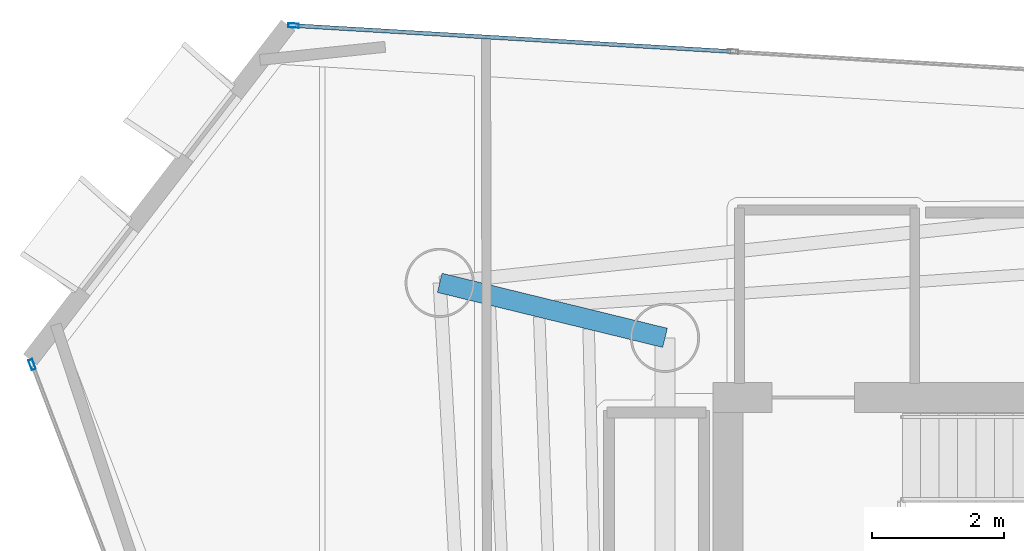
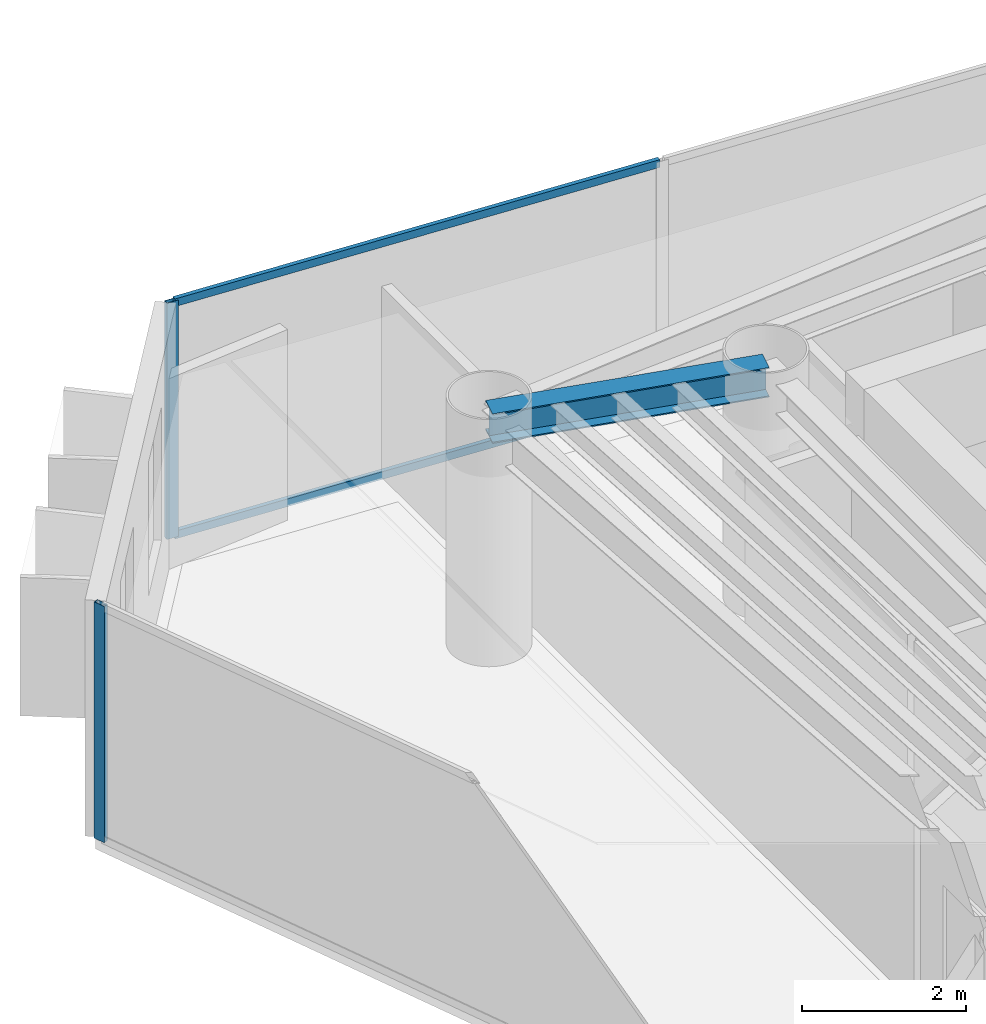
# One storey, part 9 of 20: 4 members, 1 beam, 2 elements without a shape of their own.
"""IFC4 building model written with IfcOpenShell, lengths in metres."""

from ifc_helpers import new_model, si_unit, direction, frame, origin, origin_2d, place, context, subcontext, project, spatial, hollow_rectangle, i_section, extrude, material, layer, layer_set, material_profile, profile_set, type_object, element, aggregate, save


model = new_model("IFC4")

# Units and contexts
model_context = context("Model", 3, precision=1e-05, world=origin(), true_north=direction((0.0, 1.0)))
body_context = subcontext(model_context, "Body", "Model", "MODEL_VIEW")
ifc_project = project(units=[si_unit("LENGTHUNIT", "METRE"), si_unit("AREAUNIT", "SQUARE_METRE"), si_unit("VOLUMEUNIT", "CUBIC_METRE"), si_unit("PLANEANGLEUNIT", "RADIAN"), si_unit("MASSUNIT", "GRAM", prefix="KILO")], contexts=[model_context])

# Site, building, storey
site_placement = place(None, origin())
site = spatial("IfcSite", under=ifc_project, at=site_placement, CompositionType="ELEMENT")
building_placement = place(site_placement, origin())
building = spatial("IfcBuilding", under=site, at=building_placement, Name="Qianvela Tower", CompositionType="ELEMENT")
storey_placement = place(building_placement, frame((0.0, 0.0, 239.0)))
storey = spatial("IfcBuildingStorey", under=building, at=storey_placement, Name="L61", CompositionType="ELEMENT", Elevation=239.0)

# Beam
ifc_material_1 = material(Name="Steel Q355B", Category="steel")
ifc_material_profile_1 = material_profile(ifc_material_1, i_section(OverallWidth=0.300048828125, OverallDepth=0.43994140625, WebThickness=0.010986328125, FlangeThickness=0.01806640625, at=origin_2d()), Name="HM440x300x11x18")
ifc_profile_set_1 = profile_set([ifc_material_profile_1], Name="Steel Q355B")
beam_type = type_object("IfcBeamType", Name="BM-HM440-COLL", PredefinedType="BEAM", material=ifc_profile_set_1)
beam_placement = place(storey_placement, frame((28.60009765625, 33.550048828125, 3.298095703125), z_axis=(-0.971502414323, 0.237029658405, 0.0), x_axis=(-0.237029658405, -0.971502414323, 0.0)))
element("IfcBeam", 1, at=beam_placement, inside=storey, type_object=beam_type, Name="L61 Radial Primary Floor Girder 3", PredefinedType="BEAM", context=body_context, shape_type="SweptSolid", body=[
    extrude(i_section(OverallWidth=0.300048828125, OverallDepth=0.43994140625, WebThickness=0.010986328125, FlangeThickness=0.01806640625, at=origin_2d()), origin(), (0.0, 0.0, 1.0), 3.5185546875),
])

# Curtain wall, member
ifc_material_2 = material(Name="Anodised Architectural Aluminium and Low-E Glass", Category="aluminium")
ifc_layer = layer(ifc_material_2, 0.159912109375)
ifc_layer_set = layer_set([ifc_layer], Name="Anodised Architectural Aluminium and Low-E Glass")
curtain_wall_type = type_object("IfcCurtainWallType", Name="CW-COLIV-Z56", PredefinedType="USERDEFINED", material=ifc_layer_set)
curtain_wall_1_placement = place(storey_placement, origin())
curtain_wall_1 = element("IfcCurtainWall", 2, at=curtain_wall_1_placement, inside=storey, type_object=curtain_wall_type, Name="L61 CW-COLIV-Z56 Curtain Wall 02C", ObjectType="CURTAIN_WALL_SYSTEM", PredefinedType="USERDEFINED")
ifc_material_3 = material(Name="Anodised Architectural Aluminium 6063-T6", Category="aluminium")
ifc_material_profile_2 = material_profile(ifc_material_3, hollow_rectangle(XDim=0.06494140625, YDim=0.159912109375, WallThickness=0.0048828125, at=origin_2d()), Name="ALU-MULL-65x160")
ifc_profile_set_2 = profile_set([ifc_material_profile_2], Name="Anodised Architectural Aluminium 6063-T6")
member_type_1 = type_object("IfcMemberType", Name="CW-COLIV-Z56-MULL", PredefinedType="MULLION", material=ifc_profile_set_2)
member_1_placement = place(storey_placement, frame((22.9638671875, 38.287841796875, 0.0), z_axis=(0.0, 0.0, 1.0), x_axis=(-0.059180002432, -0.998247327726, 0.0)))
member_1 = element("IfcMember", 3, at=member_1_placement, type_object=member_type_1, Name="CW-5 mullion 3", PredefinedType="MULLION", context=body_context, shape_type="SweptSolid", body=[
    extrude(hollow_rectangle(XDim=0.06494140625, YDim=0.159912109375, WallThickness=0.0048828125, at=origin_2d()), origin(), (0.0, 0.0, 1.0), 3.52001953125),
])

curtain_wall_2_placement = place(storey_placement, origin())
curtain_wall_2 = element("IfcCurtainWall", 4, at=curtain_wall_2_placement, inside=storey, type_object=curtain_wall_type, Name="L61 CW-COLIV-Z56 Curtain Wall 04A", ObjectType="CURTAIN_WALL_SYSTEM", PredefinedType="USERDEFINED")
member_2_placement = place(storey_placement, frame((18.99755859375, 33.143798828125, 0.0), z_axis=(0.0, 0.0, 1.0), x_axis=(0.933828677637, 0.357720562482, 0.0)))
member_2 = element("IfcMember", 5, at=member_2_placement, type_object=member_type_1, Name="CW-5 mullion 1", PredefinedType="MULLION", context=body_context, shape_type="SweptSolid", body=[
    extrude(hollow_rectangle(XDim=0.06494140625, YDim=0.159912109375, WallThickness=0.0048828125, at=origin_2d()), origin(), (0.0, 0.0, 1.0), 3.52001953125),
])
aggregate(curtain_wall_2, [member_2])

# Member
ifc_material_4 = material(Name="Anodised Architectural Aluminium 6063-T6", Category="aluminium")
ifc_material_profile_3 = material_profile(ifc_material_4, hollow_rectangle(XDim=0.06005859375, YDim=0.114990234375, WallThickness=0.00390625, at=origin_2d()), Name="ALU-TRAN-60x115")
ifc_profile_set_3 = profile_set([ifc_material_profile_3], Name="Anodised Architectural Aluminium 6063-T6")
member_type_2 = type_object("IfcMemberType", Name="CW-COLIV-Z56-TRAN", PredefinedType="USERDEFINED", material=ifc_profile_set_3)
member_3_placement = place(storey_placement, frame((29.6005859375, 37.89453125, 0.030029296875), z_axis=(-0.998248829438, 0.059154666134, 0.0), x_axis=(-0.059154666134, -0.998248829438, 0.0)))
member_3 = element("IfcMember", 6, at=member_3_placement, type_object=member_type_2, Name="CW-5 transom 2.1", ObjectType="TRANSOM", PredefinedType="USERDEFINED", context=body_context, shape_type="SweptSolid", body=[
    extrude(hollow_rectangle(XDim=0.06005859375, YDim=0.114990234375, WallThickness=0.00390625, at=origin_2d()), origin(), (0.0, 0.0, 1.0), 6.61572265625),
])

member_4_placement = place(storey_placement, frame((29.6005859375, 37.89453125, 3.489990234375), z_axis=(-0.998248829438, 0.059154666134, 0.0), x_axis=(-0.059154666134, -0.998248829438, 0.0)))
member_4 = element("IfcMember", 7, at=member_4_placement, type_object=member_type_2, Name="CW-5 transom 2.2", ObjectType="TRANSOM", PredefinedType="USERDEFINED", context=body_context, shape_type="SweptSolid", body=[
    extrude(hollow_rectangle(XDim=0.06005859375, YDim=0.114990234375, WallThickness=0.00390625, at=origin_2d()), origin(), (0.0, 0.0, 1.0), 6.61572265625),
])

aggregate(curtain_wall_1, [member_1, member_3, member_4])

save(model, "model.ifc")
